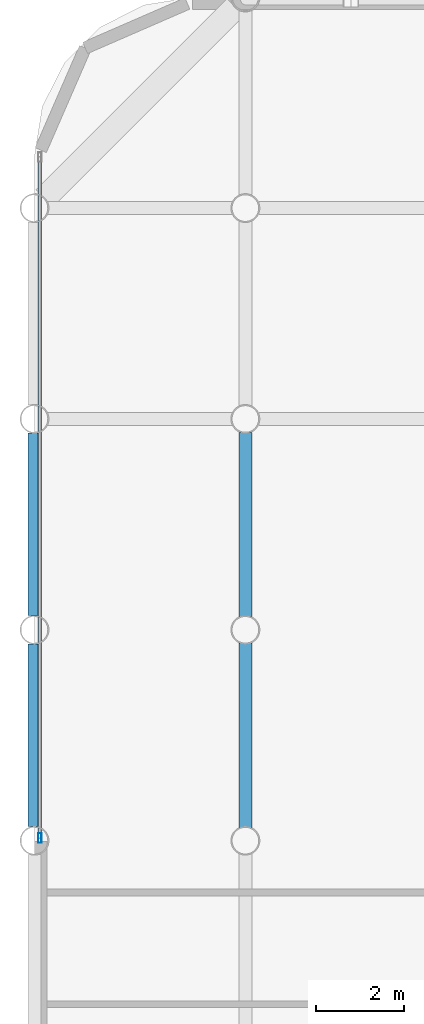
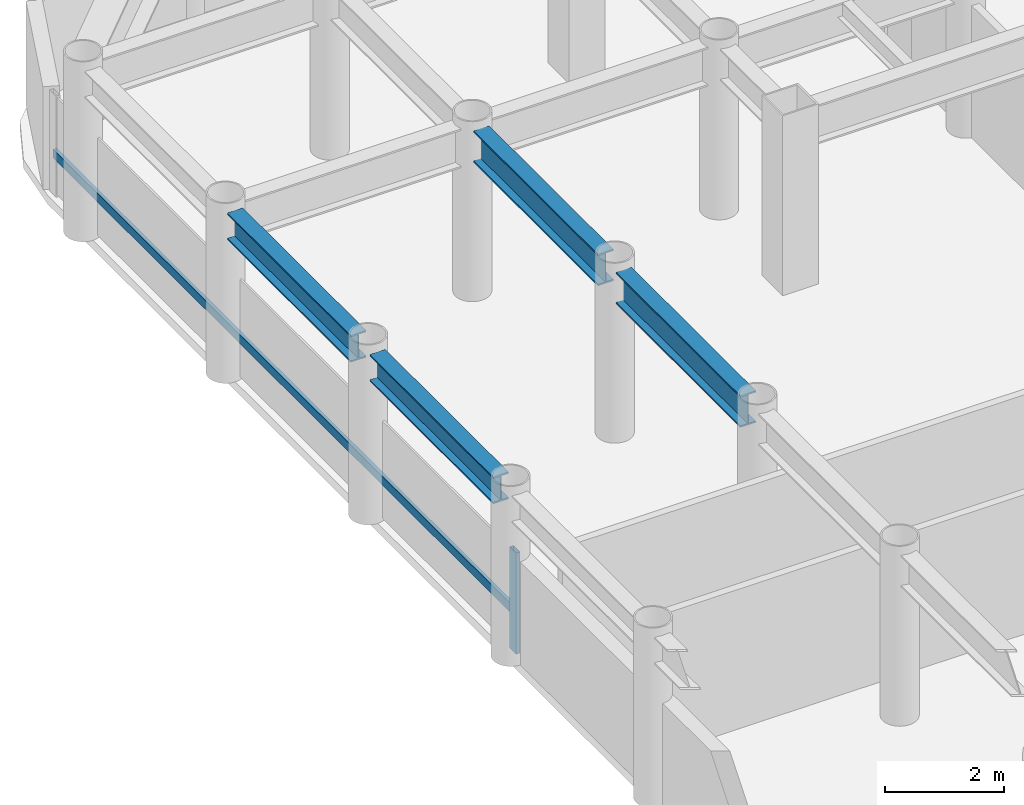
# One storey, part 4 of 19: 4 beams, 2 members, 1 element without a shape of its own.
"""IFC4 building model written with IfcOpenShell, lengths in metres."""

from ifc_helpers import new_model, si_unit, direction, frame, origin, origin_2d, place, context, subcontext, project, spatial, hollow_rectangle, i_section, extrude, material, layer, layer_set, material_profile, profile_set, type_object, element, aggregate, save


model = new_model("IFC4")

# Units and contexts
model_context = context("Model", 3, precision=1e-05, world=origin(), true_north=direction((0.0, 1.0)))
body_context = subcontext(model_context, "Body", "Model", "MODEL_VIEW")
ifc_project = project(units=[si_unit("LENGTHUNIT", "METRE"), si_unit("AREAUNIT", "SQUARE_METRE"), si_unit("VOLUMEUNIT", "CUBIC_METRE"), si_unit("PLANEANGLEUNIT", "RADIAN"), si_unit("MASSUNIT", "GRAM", prefix="KILO")], contexts=[model_context])

# Site, building, storey
site_placement = place(None, origin())
site = spatial("IfcSite", under=ifc_project, at=site_placement, CompositionType="ELEMENT")
building_placement = place(site_placement, origin())
building = spatial("IfcBuilding", under=site, at=building_placement, Name="Kallvorn Hotel Tower", CompositionType="ELEMENT")
storey_placement = place(building_placement, frame((0.0, 0.0, 165.5)))
storey = spatial("IfcBuildingStorey", under=building, at=storey_placement, Name="L41", CompositionType="ELEMENT", Elevation=165.5)

# Beams
ifc_material_1 = material(Name="Structural steel S355JR", Category="steel")
ifc_material_profile_1 = material_profile(ifc_material_1, i_section(OverallWidth=0.300048828125, OverallDepth=0.550048828125, WebThickness=0.014892578125, FlangeThickness=0.029052734375, at=origin_2d()), Name="HE 550 B")
ifc_profile_set_1 = profile_set([ifc_material_profile_1], Name="Structural steel S355JR")
beam_type_1 = type_object("IfcBeamType", Name="BM_HE550B", PredefinedType="SPANDREL", material=ifc_profile_set_1)
for number, where, z_axis, x_axis, name in (
    (1, (-33.60009765625, 0.320068359375, 3.2451171875), (0.0, 1.0, 0.0), (-1.0, 0.0, 0.0), "L42 Perimeter Spandrel 178"),
    (2, (-33.60009765625, 5.1201171875, 3.2451171875), (0.0, 1.0, 0.0), (-1.0, 0.0, 0.0), "L42 Perimeter Spandrel 179"),
):
    element("IfcBeam", number, at=place(storey_placement, frame(where, z_axis=z_axis, x_axis=x_axis)), inside=storey, type_object=beam_type_1, Name=name, PredefinedType="SPANDREL", context=body_context, shape_type="SweptSolid", body=[
        extrude(i_section(OverallWidth=0.300048828125, OverallDepth=0.550048828125, WebThickness=0.014892578125, FlangeThickness=0.029052734375, at=origin_2d()), origin(), (0.0, 0.0, 1.0), 4.159912109375),
    ])
ifc_material_2 = material(Name="Structural steel S355JR", Category="steel")
ifc_material_profile_2 = material_profile(ifc_material_2, i_section(OverallWidth=0.300048828125, OverallDepth=0.64990234375, WebThickness=0.01611328125, FlangeThickness=0.031005859375, at=origin_2d()), Name="HE 650 B")
ifc_profile_set_2 = profile_set([ifc_material_profile_2], Name="Structural steel S355JR")
beam_type_2 = type_object("IfcBeamType", Name="BM_HE650B", PredefinedType="BEAM", material=ifc_profile_set_2)
beam_1_placement = place(storey_placement, frame((-28.800048828125, 0.304931640625, 3.195068359375), z_axis=(0.0, 1.0, 0.0), x_axis=(-1.0, 0.0, 0.0)))
element("IfcBeam", 3, at=beam_1_placement, inside=storey, type_object=beam_type_2, Name="L42 Primary Y-Girder 78", PredefinedType="BEAM", context=body_context, shape_type="SweptSolid", body=[
    extrude(i_section(OverallWidth=0.300048828125, OverallDepth=0.64990234375, WebThickness=0.01611328125, FlangeThickness=0.031005859375, at=origin_2d()), origin(), (0.0, 0.0, 1.0), 4.190185546875),
])
beam_2_placement = place(storey_placement, frame((-28.800048828125, 5.10498046875, 3.195068359375), z_axis=(0.0, 1.0, 0.0), x_axis=(-1.0, 0.0, 0.0)))
element("IfcBeam", 4, at=beam_2_placement, inside=storey, type_object=beam_type_2, Name="L42 Primary Y-Girder 79", PredefinedType="BEAM", context=body_context, shape_type="SweptSolid", body=[
    extrude(i_section(OverallWidth=0.300048828125, OverallDepth=0.64990234375, WebThickness=0.01611328125, FlangeThickness=0.031005859375, at=origin_2d()), origin(), (0.0, 0.0, 1.0), 4.18994140625),
])

# Curtain wall, members
ifc_material_3 = material(Name="Thermally broken black-anodised aluminium AA 6063-T6", Category="aluminium")
ifc_layer = layer(ifc_material_3, 0.2099609375)
ifc_layer_set = layer_set([ifc_layer], Name="CW_SYS_4_HOTEL_MID")
curtain_wall_type = type_object("IfcCurtainWallType", Name="CW_SYS_4_HOTEL_MID", PredefinedType="USERDEFINED", material=ifc_layer_set)
curtain_wall_placement = place(storey_placement, origin())
curtain_wall = element("IfcCurtainWall", 5, at=curtain_wall_placement, inside=storey, type_object=curtain_wall_type, Name="L41 Dark-Glass Curtain Wall CW-L41-WN", ObjectType="UNITISED CURTAIN WALL", PredefinedType="USERDEFINED")
ifc_material_4 = material(Name="Thermally broken black-anodised aluminium AA 6063-T6", Category="aluminium")
ifc_material_profile_3 = material_profile(ifc_material_4, hollow_rectangle(XDim=0.080078125, YDim=0.219970703125, WallThickness=0.0048828125, at=origin_2d()), Name="MUL 220x80")
ifc_profile_set_3 = profile_set([ifc_material_profile_3], Name="Thermally broken black-anodised aluminium AA 6063-T6")
member_type_1 = type_object("IfcMemberType", Name="CW_MULLION_220x80", PredefinedType="MULLION", material=ifc_profile_set_3)
member_1_placement = place(storey_placement, frame((-33.47998046875, 0.06005859375, 0.02001953125), z_axis=(0.0, 0.0, 1.0), x_axis=(1.0, 0.0, 0.0)))
member_1 = element("IfcMember", 6, at=member_1_placement, type_object=member_type_1, Name="CW-L41-WN Mullion 00", PredefinedType="MULLION", context=body_context, shape_type="SweptSolid", body=[
    extrude(hollow_rectangle(XDim=0.080078125, YDim=0.219970703125, WallThickness=0.0048828125, at=origin_2d()), origin(), (0.0, 0.0, 1.0), 2.080078125),
])
ifc_material_5 = material(Name="Thermally broken black-anodised aluminium AA 6063-T6", Category="aluminium")
ifc_material_profile_4 = material_profile(ifc_material_5, hollow_rectangle(XDim=0.070068359375, YDim=0.179931640625, WallThickness=0.00390625, at=origin_2d()), Name="TRN 180x70")
ifc_profile_set_4 = profile_set([ifc_material_profile_4], Name="Thermally broken black-anodised aluminium AA 6063-T6")
member_type_2 = type_object("IfcMemberType", Name="CW_TRANSOM_180x70", PredefinedType="USERDEFINED", material=ifc_profile_set_4)
member_2_placement = place(storey_placement, frame((-33.47998046875, 0.06005859375, 0.85009765625), z_axis=(0.0, 1.0, 0.0), x_axis=(-1.0, 0.0, 0.0)))
member_2 = element("IfcMember", 7, at=member_2_placement, type_object=member_type_2, Name="CW-L41-WN Transom 00M", ObjectType="TRANSOM", PredefinedType="USERDEFINED", context=body_context, shape_type="SweptSolid", body=[
    extrude(hollow_rectangle(XDim=0.070068359375, YDim=0.179931640625, WallThickness=0.00390625, at=origin_2d()), origin(), (0.0, 0.0, 1.0), 15.5),
])
aggregate(curtain_wall, [member_1, member_2])

save(model, "model.ifc")
